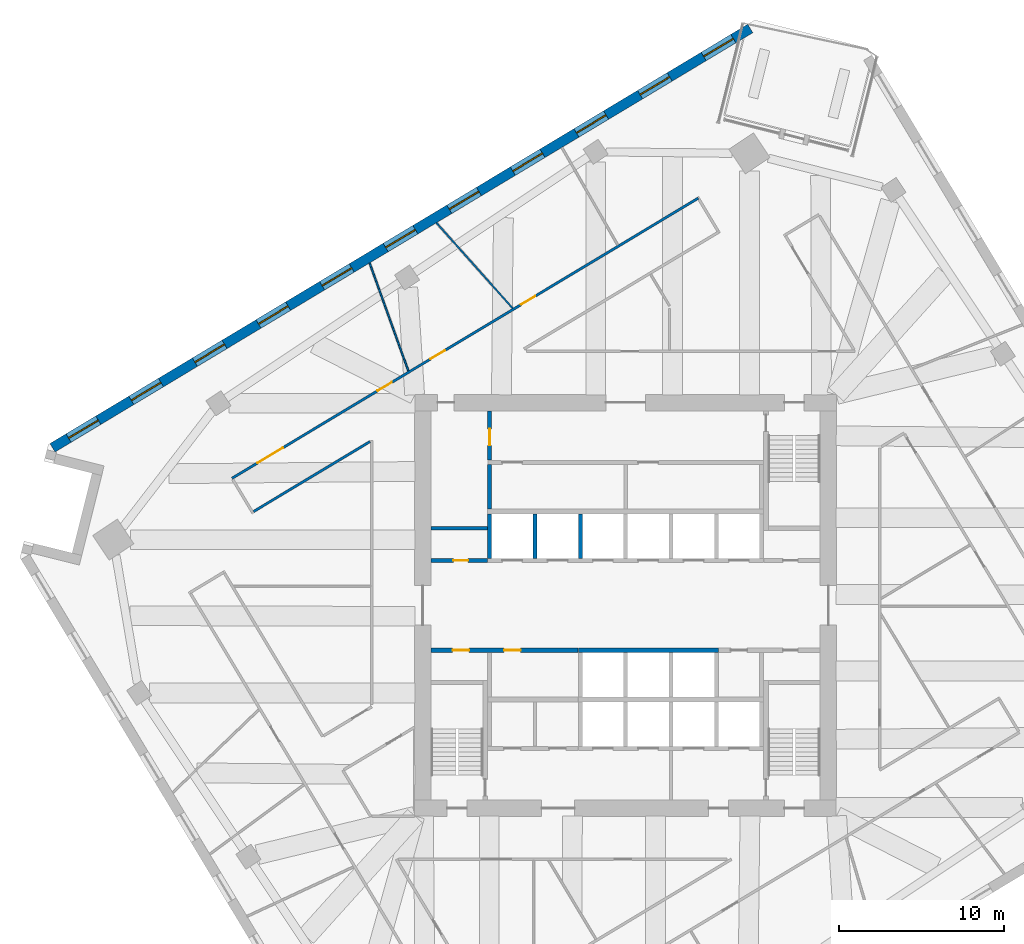
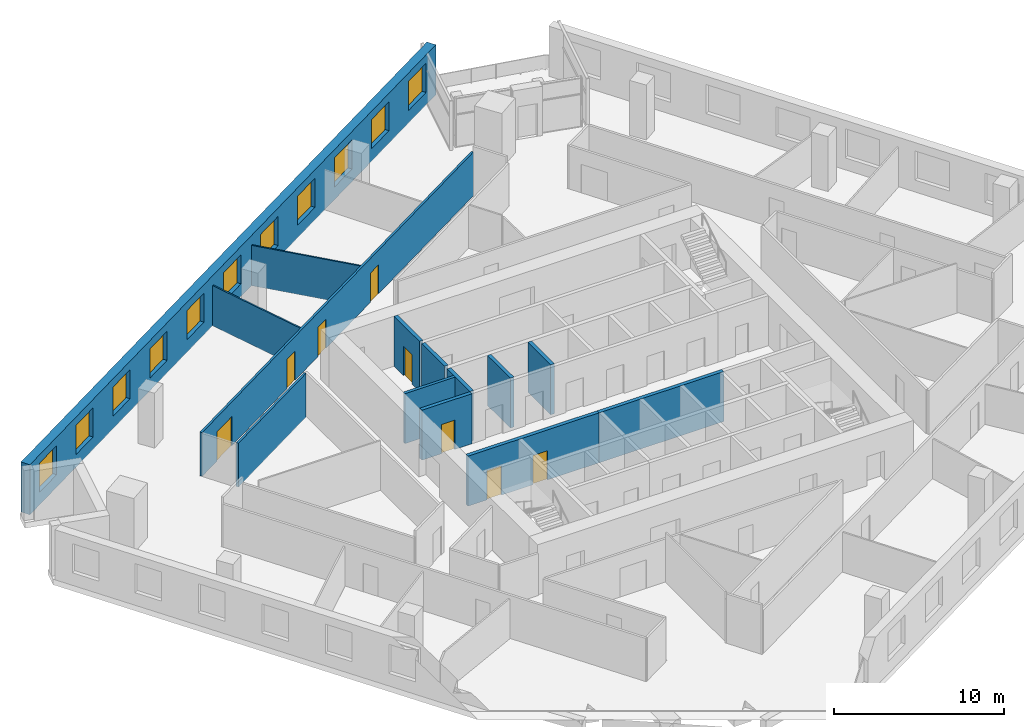
# One storey, part 8 of 14: 14 walls, 11 windows, 8 doors, 19 openings.
"""IFC4 building model written with IfcOpenShell, lengths in metres."""

from ifc_helpers import new_model, si_unit, direction, frame, frame_2d, origin, place, context, subcontext, project, spatial, rectangle, extrude, material, layer, layer_set, type_object, element, fill, save


model = new_model("IFC4")

# Units and contexts
model_context = context("Model", 3, precision=1e-05, world=origin(), true_north=direction((0.0, 1.0)))
body_context = subcontext(model_context, "Body", "Model", "MODEL_VIEW")
ifc_project = project(units=[si_unit("LENGTHUNIT", "METRE"), si_unit("AREAUNIT", "SQUARE_METRE"), si_unit("VOLUMEUNIT", "CUBIC_METRE"), si_unit("PLANEANGLEUNIT", "RADIAN"), si_unit("MASSUNIT", "GRAM", prefix="KILO")], contexts=[model_context])

# Site, building, storey
site_placement = place(None, origin())
site = spatial("IfcSite", under=ifc_project, at=site_placement, CompositionType="ELEMENT")
building_placement = place(site_placement, origin())
building = spatial("IfcBuilding", under=site, at=building_placement, Name="Dilmun Exchange Tower", CompositionType="ELEMENT")
storey_placement = place(building_placement, frame((0.0, 0.0, 147.699951171875)))
storey = spatial("IfcBuildingStorey", under=building, at=storey_placement, Name="L34", CompositionType="ELEMENT", Elevation=147.699951171875)

# Wall
ifc_material_1 = material(Name="Concrete C40/50", Category="concrete")
ifc_layer_1 = layer(ifc_material_1, 0.199951171875)
ifc_layer_set_1 = layer_set([ifc_layer_1], Name="Concrete C40/50")
wall_type_1 = type_object("IfcWallType", Name="Core partition wall 200", PredefinedType="PARTITIONING", material=ifc_layer_set_1)
wall_1_placement = place(storey_placement, frame((-11.794921875, 4.675048828125, 0.0), z_axis=(0.0, 0.0, 1.0), x_axis=(1.0, 0.0, 0.0)))
element("IfcWall", 1, at=wall_1_placement, inside=storey, type_object=wall_type_1, Name="L34 core partition wall 12", PredefinedType="PARTITIONING", context=body_context, shape_type="SweptSolid", body=[
    extrude(rectangle(XDim=3.4150390625, YDim=0.199951171875, at=frame_2d((1.70751953125, 0.0))), origin(), (0.0, 0.0, 1.0), 3.60009765625),
])

# Wall, openings, doors
ifc_layer_2 = layer(ifc_material_1, 0.25)
ifc_layer_set_2 = layer_set([ifc_layer_2], Name="Concrete C40/50")
wall_type_2 = type_object("IfcWallType", Name="Core partition wall 250", PredefinedType="PARTITIONING", material=ifc_layer_set_2)
wall_2_placement = place(storey_placement, frame((-11.794921875, -2.72509765625, 0.0), z_axis=(0.0, 0.0, 1.0), x_axis=(1.0, 0.0, 0.0)))
wall_2 = element("IfcWall", 2, at=wall_2_placement, inside=storey, type_object=wall_type_2, Name="L34 core partition wall 08", PredefinedType="PARTITIONING", context=body_context, shape_type="SweptSolid", body=[
    extrude(rectangle(XDim=8.9150390625, YDim=0.25, at=frame_2d((4.45751953125, 0.0))), origin(), (0.0, 0.0, 1.0), 3.60009765625),
])
opening_1_placement = place(wall_2_placement, frame((1.294921875, 0.0, 0.0)))
opening_1 = element("IfcOpeningElement", 3, at=opening_1_placement, cuts=wall_2, Name="Opening CD4", PredefinedType="OPENING", context=body_context, shape_type="SweptSolid", body=[
    extrude(rectangle(XDim=1.0, YDim=2.10009765625, at=frame_2d((0.5, 1.050048828125))), frame((0.0, 0.135009765625, 0.0), z_axis=(0.0, -1.0, 0.0), x_axis=(1.0, 0.0, 0.0)), (0.0, 0.0, 1.0), 0.27001953125),
])
opening_2_placement = place(wall_2_placement, frame((4.419921875, 0.0, 0.0)))
opening_2 = element("IfcOpeningElement", 4, at=opening_2_placement, cuts=wall_2, Name="Opening CD4", PredefinedType="OPENING", context=body_context, shape_type="SweptSolid", body=[
    extrude(rectangle(XDim=1.0, YDim=2.10009765625, at=frame_2d((0.5, 1.050048828125))), frame((0.0, 0.135009765625, 0.0), z_axis=(0.0, -1.0, 0.0), x_axis=(1.0, 0.0, 0.0)), (0.0, 0.0, 1.0), 0.27001953125),
])
ifc_material_2 = material(Name="Fire-rated steel door set", Category="steel")
door_type_1 = type_object("IfcDoorType", Name="Core room door 1000x2100", OperationType="SINGLE_SWING_LEFT", PredefinedType="DOOR", material=ifc_material_2)
door_1_placement = place(opening_1_placement, origin())
door_1 = element("IfcDoor", 5, at=door_1_placement, inside=storey, type_object=door_type_1, Name="L34 door Accessible WC", OperationType="SINGLE_SWING_LEFT", OverallHeight=2.10009765625, OverallWidth=1.0, PredefinedType="DOOR", context=body_context, shape_type="SweptSolid", body=[
    extrude(rectangle(XDim=1.0, YDim=2.10009765625, at=frame_2d((0.5, 1.050048828125))), frame((0.0, 0.02490234375, 0.0), z_axis=(0.0, -1.0, 0.0), x_axis=(1.0, 0.0, 0.0)), (0.0, 0.0, 1.0), 0.050048828125),
])
fill(opening_1, door_1)
door_2_placement = place(opening_2_placement, origin())
door_2 = element("IfcDoor", 6, at=door_2_placement, inside=storey, type_object=door_type_1, Name="L34 door Archive store", OperationType="SINGLE_SWING_LEFT", OverallHeight=2.10009765625, OverallWidth=1.0, PredefinedType="DOOR", context=body_context, shape_type="SweptSolid", body=[
    extrude(rectangle(XDim=1.0, YDim=2.10009765625, at=frame_2d((0.5, 1.050048828125))), frame((0.0, 0.02490234375, 0.0), z_axis=(0.0, -1.0, 0.0), x_axis=(1.0, 0.0, 0.0)), (0.0, 0.0, 1.0), 0.050048828125),
])
fill(opening_2, door_2)

# Wall, opening, door
wall_3_placement = place(storey_placement, frame((-11.794921875, 2.72509765625, 0.0), z_axis=(0.0, 0.0, 1.0), x_axis=(1.0, 0.0, 0.0)))
wall_3 = element("IfcWall", 7, at=wall_3_placement, inside=storey, type_object=wall_type_2, Name="L34 core partition wall 10", PredefinedType="PARTITIONING", context=body_context, shape_type="SweptSolid", body=[
    extrude(rectangle(XDim=3.4150390625, YDim=0.25, at=frame_2d((1.70751953125, 0.0))), origin(), (0.0, 0.0, 1.0), 3.60009765625),
])
opening_3_placement = place(wall_3_placement, frame((1.344970703125, 0.0, 0.0)))
opening_3 = element("IfcOpeningElement", 8, at=opening_3_placement, cuts=wall_3, Name="Opening CD6", PredefinedType="OPENING", context=body_context, shape_type="SweptSolid", body=[
    extrude(rectangle(XDim=0.89990234375, YDim=2.10009765625, at=frame_2d((0.449951171875, 1.050048828125))), frame((0.0, 0.135009765625, 0.0), z_axis=(0.0, -1.0, 0.0), x_axis=(1.0, 0.0, 0.0)), (0.0, 0.0, 1.0), 0.27001953125),
])
door_type_2 = type_object("IfcDoorType", Name="Core room door 900x2100", OperationType="SINGLE_SWING_LEFT", PredefinedType="DOOR", material=ifc_material_2)
door_3_placement = place(opening_3_placement, origin())
door_3 = element("IfcDoor", 9, at=door_3_placement, inside=storey, type_object=door_type_2, Name="L34 door Plumbing riser", OperationType="SINGLE_SWING_LEFT", OverallHeight=2.10009765625, OverallWidth=0.89990234375, PredefinedType="DOOR", context=body_context, shape_type="SweptSolid", body=[
    extrude(rectangle(XDim=0.89990234375, YDim=2.10009765625, at=frame_2d((0.449951171875, 1.050048828125))), frame((0.0, 0.02490234375, 0.0), z_axis=(0.0, -1.0, 0.0), x_axis=(1.0, 0.0, 0.0)), (0.0, 0.0, 1.0), 0.050048828125),
])
fill(opening_3, door_3)

# Wall
wall_4_placement = place(storey_placement, frame((-8.25, 5.85498046875, 0.0), z_axis=(0.0, 0.0, 1.0), x_axis=(0.0, 1.0, 0.0)))
element("IfcWall", 10, at=wall_4_placement, inside=storey, type_object=wall_type_2, Name="L34 core partition wall 13", PredefinedType="PARTITIONING", context=body_context, shape_type="SweptSolid", body=[
    extrude(rectangle(XDim=2.68994140625, YDim=0.25, at=frame_2d((1.344970703125, 0.0))), origin(), (0.0, 0.0, 1.0), 3.60009765625),
])

# Wall, opening, door
wall_5_placement = place(storey_placement, frame((-8.25, 8.804931640625, 0.0), z_axis=(0.0, 0.0, 1.0), x_axis=(0.0, 1.0, 0.0)))
wall_5 = element("IfcWall", 11, at=wall_5_placement, inside=storey, type_object=wall_type_2, Name="L34 core partition wall 17", PredefinedType="PARTITIONING", context=body_context, shape_type="SweptSolid", body=[
    extrude(rectangle(XDim=2.989990234375, YDim=0.25, at=frame_2d((1.4951171875, 0.0))), origin(), (0.0, 0.0, 1.0), 3.60009765625),
])
opening_4_placement = place(wall_5_placement, frame((0.89501953125, 0.0, 0.0)))
opening_4 = element("IfcOpeningElement", 12, at=opening_4_placement, cuts=wall_5, Name="Opening CD4", PredefinedType="OPENING", context=body_context, shape_type="SweptSolid", body=[
    extrude(rectangle(XDim=1.0, YDim=2.10009765625, at=frame_2d((0.5, 1.050048828125))), frame((0.0, 0.135009765625, 0.0), z_axis=(0.0, -1.0, 0.0), x_axis=(1.0, 0.0, 0.0)), (0.0, 0.0, 1.0), 0.27001953125),
])
door_4_placement = place(opening_4_placement, origin())
door_4 = element("IfcDoor", 13, at=door_4_placement, inside=storey, type_object=door_type_1, Name="L34 door Building services room", OperationType="SINGLE_SWING_LEFT", OverallHeight=2.10009765625, OverallWidth=1.0, PredefinedType="DOOR", context=body_context, shape_type="SweptSolid", body=[
    extrude(rectangle(XDim=1.0, YDim=2.10009765625, at=frame_2d((0.5, 1.050048828125))), frame((0.0, 0.02490234375, 0.0), z_axis=(0.0, -1.0, 0.0), x_axis=(1.0, 0.0, 0.0)), (0.0, 0.0, 1.0), 0.050048828125),
])
fill(opening_4, door_4)

# Wall, openings, doors
ifc_material_3 = material(Name="Corridor wall 150")
ifc_layer_3 = layer(ifc_material_3, 0.14990234375)
ifc_layer_set_3 = layer_set([ifc_layer_3], Name="Corridor wall 150")
wall_type_3 = type_object("IfcWallType", Name="Corridor wall 150", PredefinedType="PARTITIONING", material=ifc_layer_set_3)
wall_6_placement = place(storey_placement, frame((-23.8759765625, 7.70703125, 0.0), z_axis=(0.0, 0.0, 1.0), x_axis=(0.857167605318, 0.515037567943, 0.0)))
wall_6 = element("IfcWall", 14, at=wall_6_placement, inside=storey, type_object=wall_type_3, Name="Corridor wall", PredefinedType="PARTITIONING", context=body_context, shape_type="SweptSolid", body=[
    extrude(rectangle(XDim=32.99365234375, YDim=0.14990234375, at=frame_2d((16.496826171875, 0.0))), origin(), (0.0, 0.0, 1.0), 3.150146484375),
])
opening_5_placement = place(wall_6_placement, frame((1.800048828125, 0.0, 0.0)))
opening_5 = element("IfcOpeningElement", 15, at=opening_5_placement, cuts=wall_6, Name="Opening TF34-D01", PredefinedType="OPENING", context=body_context, shape_type="SweptSolid", body=[
    extrude(rectangle(XDim=1.800048828125, YDim=2.10009765625, at=frame_2d((0.89990234375, 1.050048828125))), frame((0.0, 0.0849609375, 0.0), z_axis=(0.0, -1.0, 0.0), x_axis=(1.0, 0.0, 0.0)), (0.0, 0.0, 1.0), 0.169921875),
])
opening_6_placement = place(wall_6_placement, frame((10.300048828125, 0.0, 0.0)))
opening_6 = element("IfcOpeningElement", 16, at=opening_6_placement, cuts=wall_6, Name="Opening TF34-D02", PredefinedType="OPENING", context=body_context, shape_type="SweptSolid", body=[
    extrude(rectangle(XDim=1.0, YDim=2.10009765625, at=frame_2d((0.5, 1.050048828125))), frame((0.0, 0.0849609375, 0.0), z_axis=(0.0, -1.0, 0.0), x_axis=(1.0, 0.0, 0.0)), (0.0, 0.0, 1.0), 0.169921875),
])
opening_7_placement = place(wall_6_placement, frame((14.05859375, 0.0, 0.0)))
opening_7 = element("IfcOpeningElement", 17, at=opening_7_placement, cuts=wall_6, Name="Opening TF34-D07", PredefinedType="OPENING", context=body_context, shape_type="SweptSolid", body=[
    extrude(rectangle(XDim=1.0, YDim=2.10009765625, at=frame_2d((0.5, 1.050048828125))), frame((0.0, 0.0849609375, 0.0), z_axis=(0.0, -1.0, 0.0), x_axis=(1.0, 0.0, 0.0)), (0.0, 0.0, 1.0), 0.169921875),
])
opening_8_placement = place(wall_6_placement, frame((20.458251953125, 0.0, 0.0)))
opening_8 = element("IfcOpeningElement", 18, at=opening_8_placement, cuts=wall_6, Name="Opening TF34-D10", PredefinedType="OPENING", context=body_context, shape_type="SweptSolid", body=[
    extrude(rectangle(XDim=1.0, YDim=2.10009765625, at=frame_2d((0.5, 1.050048828125))), frame((0.0, 0.0849609375, 0.0), z_axis=(0.0, -1.0, 0.0), x_axis=(1.0, 0.0, 0.0)), (0.0, 0.0, 1.0), 0.169921875),
])
ifc_material_4 = material(Name="Fire door 1000 x 2100")
door_type_3 = type_object("IfcDoorType", Name="Fire door 1000 x 2100", OperationType="NOTDEFINED", PredefinedType="DOOR", material=ifc_material_4)
door_5_placement = place(opening_6_placement, origin())
door_5 = element("IfcDoor", 19, at=door_5_placement, inside=storey, type_object=door_type_3, Name="Door TF34-D02", OperationType="SINGLE_SWING_RIGHT", OverallHeight=2.10009765625, OverallWidth=1.0, PredefinedType="DOOR", context=body_context, shape_type="SweptSolid", body=[
    extrude(rectangle(XDim=1.0, YDim=2.10009765625, at=frame_2d((0.5, 1.050048828125))), frame((0.0, 0.02490234375, 0.0), z_axis=(0.0, -1.0, 0.0), x_axis=(1.0, 0.0, 0.0)), (0.0, 0.0, 1.0), 0.050048828125),
])
fill(opening_6, door_5)
door_6_placement = place(opening_7_placement, origin())
door_6 = element("IfcDoor", 20, at=door_6_placement, inside=storey, type_object=door_type_3, Name="Door TF34-D07", OperationType="SINGLE_SWING_LEFT", OverallHeight=2.10009765625, OverallWidth=1.0, PredefinedType="DOOR", context=body_context, shape_type="SweptSolid", body=[
    extrude(rectangle(XDim=1.0, YDim=2.10009765625, at=frame_2d((0.5, 1.050048828125))), frame((0.0, 0.02490234375, 0.0), z_axis=(0.0, -1.0, 0.0), x_axis=(1.0, 0.0, 0.0)), (0.0, 0.0, 1.0), 0.050048828125),
])
fill(opening_7, door_6)
door_7_placement = place(opening_8_placement, origin())
door_7 = element("IfcDoor", 21, at=door_7_placement, inside=storey, type_object=door_type_3, Name="Door TF34-D10", OperationType="SINGLE_SWING_LEFT", OverallHeight=2.10009765625, OverallWidth=1.0, PredefinedType="DOOR", context=body_context, shape_type="SweptSolid", body=[
    extrude(rectangle(XDim=1.0, YDim=2.10009765625, at=frame_2d((0.5, 1.050048828125))), frame((0.0, 0.02490234375, 0.0), z_axis=(0.0, -1.0, 0.0), x_axis=(1.0, 0.0, 0.0)), (0.0, 0.0, 1.0), 0.050048828125),
])
fill(opening_8, door_7)
ifc_material_5 = material(Name="Fire door pair 1800 x 2100")
door_type_4 = type_object("IfcDoorType", Name="Fire door pair 1800 x 2100", OperationType="NOTDEFINED", PredefinedType="DOOR", material=ifc_material_5)
door_8_placement = place(opening_5_placement, origin())
door_8 = element("IfcDoor", 22, at=door_8_placement, inside=storey, type_object=door_type_4, Name="Door TF34-D01", OperationType="DOUBLE_DOOR_SINGLE_SWING", OverallHeight=2.10009765625, OverallWidth=1.800048828125, PredefinedType="DOOR", context=body_context, shape_type="SweptSolid", body=[
    extrude(rectangle(XDim=1.800048828125, YDim=2.10009765625, at=frame_2d((0.89990234375, 1.050048828125))), frame((0.0, 0.02490234375, 0.0), z_axis=(0.0, -1.0, 0.0), x_axis=(1.0, 0.0, 0.0)), (0.0, 0.0, 1.0), 0.050048828125),
])
fill(opening_5, door_8)

# Walls
wall_7_placement = place(storey_placement, frame((-22.57568359375, 5.6875, 0.0), z_axis=(0.0, 0.0, 1.0), x_axis=(0.857121436901, 0.515114397396, 0.0)))
element("IfcWall", 23, at=wall_7_placement, inside=storey, type_object=wall_type_3, Name="Corridor wall", PredefinedType="PARTITIONING", context=body_context, shape_type="SweptSolid", body=[
    extrude(rectangle(XDim=8.2392578125, YDim=0.14990234375, at=frame_2d((4.11962890625, 0.0))), origin(), (0.0, 0.0, 1.0), 3.150146484375),
])
ifc_layer_4 = layer(ifc_material_1, 0.25)
ifc_layer_set_4 = layer_set([ifc_layer_4], Name="Concrete C40/50")
wall_type_4 = type_object("IfcWallType", Name="Lift shaft wall 250", PredefinedType="SOLIDWALL", material=ifc_layer_set_4)
for number, where, z_axis, x_axis, name in (
    (24, (-8.25, 2.85009765625, 0.0), (0.0, 0.0, 1.0), (0.0, 1.0, 0.0), "L34 lift shaft divider N10"),
    (25, (-5.5, 2.85009765625, 0.0), (0.0, 0.0, 1.0), (0.0, 1.0, 0.0), "L34 lift shaft divider N11"),
    (26, (-2.75, 2.85009765625, 0.0), (0.0, 0.0, 1.0), (0.0, 1.0, 0.0), "L34 lift shaft divider N12"),
):
    element("IfcWall", number, at=place(storey_placement, frame(where, z_axis=z_axis, x_axis=x_axis)), inside=storey, type_object=wall_type_4, Name=name, PredefinedType="SOLIDWALL", context=body_context, shape_type="SweptSolid", body=[
        extrude(rectangle(XDim=2.699951171875, YDim=0.25, at=frame_2d((1.35009765625, 0.0))), origin(), (0.0, 0.0, 1.0), 3.60009765625),
    ])
wall_8_placement = place(storey_placement, frame((-2.875, -2.72509765625, 0.0), z_axis=(0.0, 0.0, 1.0), x_axis=(1.0, 0.0, 0.0)))
element("IfcWall", 27, at=wall_8_placement, inside=storey, type_object=wall_type_4, Name="L34 lift shaft front wall S1", PredefinedType="SOLIDWALL", context=body_context, shape_type="SweptSolid", body=[
    extrude(rectangle(XDim=8.5, YDim=0.25, at=frame_2d((4.25, 0.0))), origin(), (0.0, 0.0, 1.0), 3.60009765625),
])
ifc_material_6 = material(Name="Partition 100")
ifc_layer_5 = layer(ifc_material_6, 0.10009765625)
ifc_layer_set_5 = layer_set([ifc_layer_5], Name="Partition 100")
wall_type_5 = type_object("IfcWallType", Name="Partition 100", PredefinedType="PARTITIONING", material=ifc_layer_set_5)
wall_9_placement = place(storey_placement, frame((-15.530517578125, 20.76513671875, 0.0), z_axis=(0.0, 0.0, 1.0), x_axis=(0.338062005874, -0.941123838921, 0.0)))
element("IfcWall", 28, at=wall_9_placement, inside=storey, type_object=wall_type_5, Name="Partition", PredefinedType="PARTITIONING", context=body_context, shape_type="SweptSolid", body=[
    extrude(rectangle(XDim=6.94384765625, YDim=0.10009765625, at=frame_2d((3.471923828125, 0.0))), origin(), (0.0, 0.0, 1.0), 2.900146484375),
])
wall_10_placement = place(storey_placement, frame((-11.47705078125, 23.20068359375, 0.0), z_axis=(0.0, 0.0, 1.0), x_axis=(0.665742072215, -0.74618194382, 0.0)))
element("IfcWall", 29, at=wall_10_placement, inside=storey, type_object=wall_type_5, Name="Partition", PredefinedType="PARTITIONING", context=body_context, shape_type="SweptSolid", body=[
    extrude(rectangle(XDim=6.93212890625, YDim=0.10009765625, at=frame_2d((3.466064453125, 0.0))), origin(), (0.0, 0.0, 1.0), 2.900146484375),
])

# Wall, openings, windows
ifc_material_7 = material(Name="Precast concrete C50/60", Category="concrete")
ifc_layer_6 = layer(ifc_material_7, 0.60009765625)
ifc_layer_set_6 = layer_set([ifc_layer_6], Name="Precast concrete C50/60")
wall_type_6 = type_object("IfcWallType", Name="Precast stone-clad wall 600", PredefinedType="STANDARD", material=ifc_layer_set_6)
wall_11_placement = place(storey_placement, frame((7.55810546875, 34.990478515625, 0.0), z_axis=(0.0, 0.0, 1.0), x_axis=(-0.857166849875, -0.515038825212, 0.0)))
wall_11 = element("IfcWall", 30, at=wall_11_placement, inside=storey, type_object=wall_type_6, Name="Facade wall L34-03", PredefinedType="STANDARD", context=body_context, shape_type="SweptSolid", body=[
    extrude(rectangle(XDim=49.375732421875, YDim=0.60009765625, at=frame_2d((24.68798828125, 0.0))), origin(), (0.0, 0.0, 1.0), 3.60009765625),
])
opening_9_placement = place(wall_11_placement, frame((1.199951171875, 0.0, 0.89990234375)))
opening_9 = element("IfcOpeningElement", 31, at=opening_9_placement, cuts=wall_11, Name="Opening W210-210", PredefinedType="OPENING", context=body_context, shape_type="SweptSolid", body=[
    extrude(rectangle(XDim=2.10009765625, YDim=2.10009765625, at=frame_2d((1.050048828125, 1.050048828125))), frame((0.0, 0.31005859375, 0.0), z_axis=(0.0, -1.0, 0.0), x_axis=(1.0, 0.0, 0.0)), (0.0, 0.0, 1.0), 0.6201171875),
])
opening_10_placement = place(wall_11_placement, frame((5.699951171875, 0.0, 0.89990234375)))
opening_10 = element("IfcOpeningElement", 32, at=opening_10_placement, cuts=wall_11, Name="Opening W210-210", PredefinedType="OPENING", context=body_context, shape_type="SweptSolid", body=[
    extrude(rectangle(XDim=2.10009765625, YDim=2.10009765625, at=frame_2d((1.050048828125, 1.050048828125))), frame((0.0, 0.31005859375, 0.0), z_axis=(0.0, -1.0, 0.0), x_axis=(1.0, 0.0, 0.0)), (0.0, 0.0, 1.0), 0.6201171875),
])
opening_11_placement = place(wall_11_placement, frame((10.199951171875, 0.0, 0.89990234375)))
opening_11 = element("IfcOpeningElement", 33, at=opening_11_placement, cuts=wall_11, Name="Opening W210-210", PredefinedType="OPENING", context=body_context, shape_type="SweptSolid", body=[
    extrude(rectangle(XDim=2.10009765625, YDim=2.10009765625, at=frame_2d((1.050048828125, 1.050048828125))), frame((0.0, 0.31005859375, 0.0), z_axis=(0.0, -1.0, 0.0), x_axis=(1.0, 0.0, 0.0)), (0.0, 0.0, 1.0), 0.6201171875),
])
opening_12_placement = place(wall_11_placement, frame((14.699951171875, 0.0, 0.89990234375)))
opening_12 = element("IfcOpeningElement", 34, at=opening_12_placement, cuts=wall_11, Name="Opening W210-210", PredefinedType="OPENING", context=body_context, shape_type="SweptSolid", body=[
    extrude(rectangle(XDim=2.10009765625, YDim=2.10009765625, at=frame_2d((1.050048828125, 1.050048828125))), frame((0.0, 0.31005859375, 0.0), z_axis=(0.0, -1.0, 0.0), x_axis=(1.0, 0.0, 0.0)), (0.0, 0.0, 1.0), 0.6201171875),
])
opening_13_placement = place(wall_11_placement, frame((19.199951171875, 0.0, 0.89990234375)))
opening_13 = element("IfcOpeningElement", 35, at=opening_13_placement, cuts=wall_11, Name="Opening W210-210", PredefinedType="OPENING", context=body_context, shape_type="SweptSolid", body=[
    extrude(rectangle(XDim=2.10009765625, YDim=2.10009765625, at=frame_2d((1.050048828125, 1.050048828125))), frame((0.0, 0.31005859375, 0.0), z_axis=(0.0, -1.0, 0.0), x_axis=(1.0, 0.0, 0.0)), (0.0, 0.0, 1.0), 0.6201171875),
])
opening_14_placement = place(wall_11_placement, frame((23.699951171875, 0.0, 0.89990234375)))
opening_14 = element("IfcOpeningElement", 36, at=opening_14_placement, cuts=wall_11, Name="Opening W210-210", PredefinedType="OPENING", context=body_context, shape_type="SweptSolid", body=[
    extrude(rectangle(XDim=2.10009765625, YDim=2.10009765625, at=frame_2d((1.050048828125, 1.050048828125))), frame((0.0, 0.31005859375, 0.0), z_axis=(0.0, -1.0, 0.0), x_axis=(1.0, 0.0, 0.0)), (0.0, 0.0, 1.0), 0.6201171875),
])
opening_15_placement = place(wall_11_placement, frame((28.199951171875, 0.0, 0.89990234375)))
opening_15 = element("IfcOpeningElement", 37, at=opening_15_placement, cuts=wall_11, Name="Opening W210-210", PredefinedType="OPENING", context=body_context, shape_type="SweptSolid", body=[
    extrude(rectangle(XDim=2.10009765625, YDim=2.10009765625, at=frame_2d((1.050048828125, 1.050048828125))), frame((0.0, 0.31005859375, 0.0), z_axis=(0.0, -1.0, 0.0), x_axis=(1.0, 0.0, 0.0)), (0.0, 0.0, 1.0), 0.6201171875),
])
opening_16_placement = place(wall_11_placement, frame((32.699951171875, 0.0, 0.89990234375)))
opening_16 = element("IfcOpeningElement", 38, at=opening_16_placement, cuts=wall_11, Name="Opening W210-210", PredefinedType="OPENING", context=body_context, shape_type="SweptSolid", body=[
    extrude(rectangle(XDim=2.10009765625, YDim=2.10009765625, at=frame_2d((1.050048828125, 1.050048828125))), frame((0.0, 0.31005859375, 0.0), z_axis=(0.0, -1.0, 0.0), x_axis=(1.0, 0.0, 0.0)), (0.0, 0.0, 1.0), 0.6201171875),
])
opening_17_placement = place(wall_11_placement, frame((37.199951171875, 0.0, 0.89990234375)))
opening_17 = element("IfcOpeningElement", 39, at=opening_17_placement, cuts=wall_11, Name="Opening W210-210", PredefinedType="OPENING", context=body_context, shape_type="SweptSolid", body=[
    extrude(rectangle(XDim=2.10009765625, YDim=2.10009765625, at=frame_2d((1.050048828125, 1.050048828125))), frame((0.0, 0.31005859375, 0.0), z_axis=(0.0, -1.0, 0.0), x_axis=(1.0, 0.0, 0.0)), (0.0, 0.0, 1.0), 0.6201171875),
])
opening_18_placement = place(wall_11_placement, frame((41.699951171875, 0.0, 0.89990234375)))
opening_18 = element("IfcOpeningElement", 40, at=opening_18_placement, cuts=wall_11, Name="Opening W210-210", PredefinedType="OPENING", context=body_context, shape_type="SweptSolid", body=[
    extrude(rectangle(XDim=2.10009765625, YDim=2.10009765625, at=frame_2d((1.050048828125, 1.050048828125))), frame((0.0, 0.31005859375, 0.0), z_axis=(0.0, -1.0, 0.0), x_axis=(1.0, 0.0, 0.0)), (0.0, 0.0, 1.0), 0.6201171875),
])
opening_19_placement = place(wall_11_placement, frame((46.137939453125, 0.0, 0.89990234375)))
opening_19 = element("IfcOpeningElement", 41, at=opening_19_placement, cuts=wall_11, Name="Opening W210-210", PredefinedType="OPENING", context=body_context, shape_type="SweptSolid", body=[
    extrude(rectangle(XDim=2.10009765625, YDim=2.10009765625, at=frame_2d((1.050048828125, 1.050048828125))), frame((0.0, 0.31005859375, 0.0), z_axis=(0.0, -1.0, 0.0), x_axis=(1.0, 0.0, 0.0)), (0.0, 0.0, 1.0), 0.6201171875),
])
ifc_material_8 = material(Name="Clear low-emissivity glass in aluminium frame", Category="aluminium")
window_type = type_object("IfcWindowType", Name="Punched window 2100 x 2100", PartitioningType="DOUBLE_PANEL_VERTICAL", PredefinedType="WINDOW", material=ifc_material_8)
window_1_placement = place(opening_9_placement, origin())
window_1 = element("IfcWindow", 42, at=window_1_placement, inside=storey, type_object=window_type, Name="Window 4.1", OverallHeight=2.10009765625, OverallWidth=2.10009765625, PartitioningType="SINGLE_PANEL", PredefinedType="WINDOW", context=body_context, shape_type="SweptSolid", body=[
    extrude(rectangle(XDim=2.10009765625, YDim=2.10009765625, at=frame_2d((1.050048828125, 1.050048828125))), frame((0.0, 0.030029296875, 0.0), z_axis=(0.0, -1.0, 0.0), x_axis=(1.0, 0.0, 0.0)), (0.0, 0.0, 1.0), 0.06005859375),
])
fill(opening_9, window_1)
window_2_placement = place(opening_10_placement, origin())
window_2 = element("IfcWindow", 43, at=window_2_placement, inside=storey, type_object=window_type, Name="Window 4.2", OverallHeight=2.10009765625, OverallWidth=2.10009765625, PartitioningType="SINGLE_PANEL", PredefinedType="WINDOW", context=body_context, shape_type="SweptSolid", body=[
    extrude(rectangle(XDim=2.10009765625, YDim=2.10009765625, at=frame_2d((1.050048828125, 1.050048828125))), frame((0.0, 0.030029296875, 0.0), z_axis=(0.0, -1.0, 0.0), x_axis=(1.0, 0.0, 0.0)), (0.0, 0.0, 1.0), 0.06005859375),
])
fill(opening_10, window_2)
window_3_placement = place(opening_11_placement, origin())
window_3 = element("IfcWindow", 44, at=window_3_placement, inside=storey, type_object=window_type, Name="Window 4.3", OverallHeight=2.10009765625, OverallWidth=2.10009765625, PartitioningType="SINGLE_PANEL", PredefinedType="WINDOW", context=body_context, shape_type="SweptSolid", body=[
    extrude(rectangle(XDim=2.10009765625, YDim=2.10009765625, at=frame_2d((1.050048828125, 1.050048828125))), frame((0.0, 0.030029296875, 0.0), z_axis=(0.0, -1.0, 0.0), x_axis=(1.0, 0.0, 0.0)), (0.0, 0.0, 1.0), 0.06005859375),
])
fill(opening_11, window_3)
window_4_placement = place(opening_12_placement, origin())
window_4 = element("IfcWindow", 45, at=window_4_placement, inside=storey, type_object=window_type, Name="Window 4.4", OverallHeight=2.10009765625, OverallWidth=2.10009765625, PartitioningType="SINGLE_PANEL", PredefinedType="WINDOW", context=body_context, shape_type="SweptSolid", body=[
    extrude(rectangle(XDim=2.10009765625, YDim=2.10009765625, at=frame_2d((1.050048828125, 1.050048828125))), frame((0.0, 0.030029296875, 0.0), z_axis=(0.0, -1.0, 0.0), x_axis=(1.0, 0.0, 0.0)), (0.0, 0.0, 1.0), 0.06005859375),
])
fill(opening_12, window_4)
window_5_placement = place(opening_13_placement, origin())
window_5 = element("IfcWindow", 46, at=window_5_placement, inside=storey, type_object=window_type, Name="Window 4.5", OverallHeight=2.10009765625, OverallWidth=2.10009765625, PartitioningType="SINGLE_PANEL", PredefinedType="WINDOW", context=body_context, shape_type="SweptSolid", body=[
    extrude(rectangle(XDim=2.10009765625, YDim=2.10009765625, at=frame_2d((1.050048828125, 1.050048828125))), frame((0.0, 0.030029296875, 0.0), z_axis=(0.0, -1.0, 0.0), x_axis=(1.0, 0.0, 0.0)), (0.0, 0.0, 1.0), 0.06005859375),
])
fill(opening_13, window_5)
window_6_placement = place(opening_14_placement, origin())
window_6 = element("IfcWindow", 47, at=window_6_placement, inside=storey, type_object=window_type, Name="Window 4.6", OverallHeight=2.10009765625, OverallWidth=2.10009765625, PartitioningType="SINGLE_PANEL", PredefinedType="WINDOW", context=body_context, shape_type="SweptSolid", body=[
    extrude(rectangle(XDim=2.10009765625, YDim=2.10009765625, at=frame_2d((1.050048828125, 1.050048828125))), frame((0.0, 0.030029296875, 0.0), z_axis=(0.0, -1.0, 0.0), x_axis=(1.0, 0.0, 0.0)), (0.0, 0.0, 1.0), 0.06005859375),
])
fill(opening_14, window_6)
window_7_placement = place(opening_15_placement, origin())
window_7 = element("IfcWindow", 48, at=window_7_placement, inside=storey, type_object=window_type, Name="Window 4.7", OverallHeight=2.10009765625, OverallWidth=2.10009765625, PartitioningType="SINGLE_PANEL", PredefinedType="WINDOW", context=body_context, shape_type="SweptSolid", body=[
    extrude(rectangle(XDim=2.10009765625, YDim=2.10009765625, at=frame_2d((1.050048828125, 1.050048828125))), frame((0.0, 0.030029296875, 0.0), z_axis=(0.0, -1.0, 0.0), x_axis=(1.0, 0.0, 0.0)), (0.0, 0.0, 1.0), 0.06005859375),
])
fill(opening_15, window_7)
window_8_placement = place(opening_16_placement, origin())
window_8 = element("IfcWindow", 49, at=window_8_placement, inside=storey, type_object=window_type, Name="Window 4.8", OverallHeight=2.10009765625, OverallWidth=2.10009765625, PartitioningType="SINGLE_PANEL", PredefinedType="WINDOW", context=body_context, shape_type="SweptSolid", body=[
    extrude(rectangle(XDim=2.10009765625, YDim=2.10009765625, at=frame_2d((1.050048828125, 1.050048828125))), frame((0.0, 0.030029296875, 0.0), z_axis=(0.0, -1.0, 0.0), x_axis=(1.0, 0.0, 0.0)), (0.0, 0.0, 1.0), 0.06005859375),
])
fill(opening_16, window_8)
window_9_placement = place(opening_17_placement, origin())
window_9 = element("IfcWindow", 50, at=window_9_placement, inside=storey, type_object=window_type, Name="Window 4.9", OverallHeight=2.10009765625, OverallWidth=2.10009765625, PartitioningType="SINGLE_PANEL", PredefinedType="WINDOW", context=body_context, shape_type="SweptSolid", body=[
    extrude(rectangle(XDim=2.10009765625, YDim=2.10009765625, at=frame_2d((1.050048828125, 1.050048828125))), frame((0.0, 0.030029296875, 0.0), z_axis=(0.0, -1.0, 0.0), x_axis=(1.0, 0.0, 0.0)), (0.0, 0.0, 1.0), 0.06005859375),
])
fill(opening_17, window_9)
window_10_placement = place(opening_18_placement, origin())
window_10 = element("IfcWindow", 51, at=window_10_placement, inside=storey, type_object=window_type, Name="Window 4.10", OverallHeight=2.10009765625, OverallWidth=2.10009765625, PartitioningType="SINGLE_PANEL", PredefinedType="WINDOW", context=body_context, shape_type="SweptSolid", body=[
    extrude(rectangle(XDim=2.10009765625, YDim=2.10009765625, at=frame_2d((1.050048828125, 1.050048828125))), frame((0.0, 0.030029296875, 0.0), z_axis=(0.0, -1.0, 0.0), x_axis=(1.0, 0.0, 0.0)), (0.0, 0.0, 1.0), 0.06005859375),
])
fill(opening_18, window_10)
window_11_placement = place(opening_19_placement, origin())
window_11 = element("IfcWindow", 52, at=window_11_placement, inside=storey, type_object=window_type, Name="Window 4.11", OverallHeight=2.10009765625, OverallWidth=2.10009765625, PartitioningType="SINGLE_PANEL", PredefinedType="WINDOW", context=body_context, shape_type="SweptSolid", body=[
    extrude(rectangle(XDim=2.10009765625, YDim=2.10009765625, at=frame_2d((1.050048828125, 1.050048828125))), frame((0.0, 0.030029296875, 0.0), z_axis=(0.0, -1.0, 0.0), x_axis=(1.0, 0.0, 0.0)), (0.0, 0.0, 1.0), 0.06005859375),
])
fill(opening_19, window_11)

save(model, "model.ifc")
